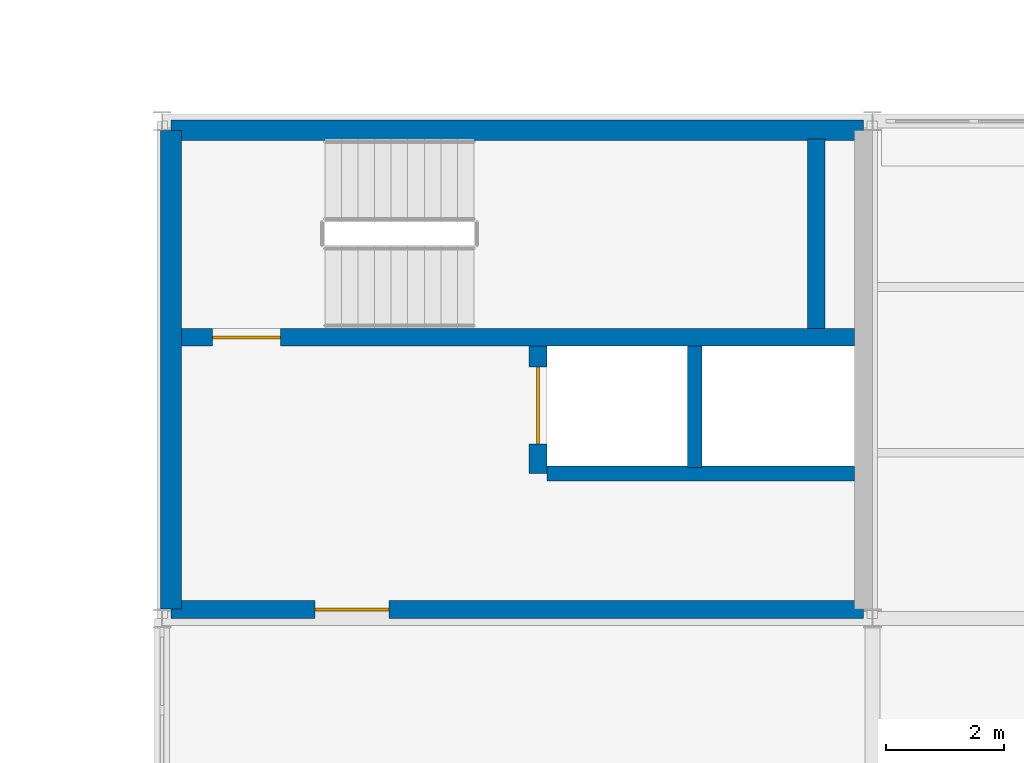
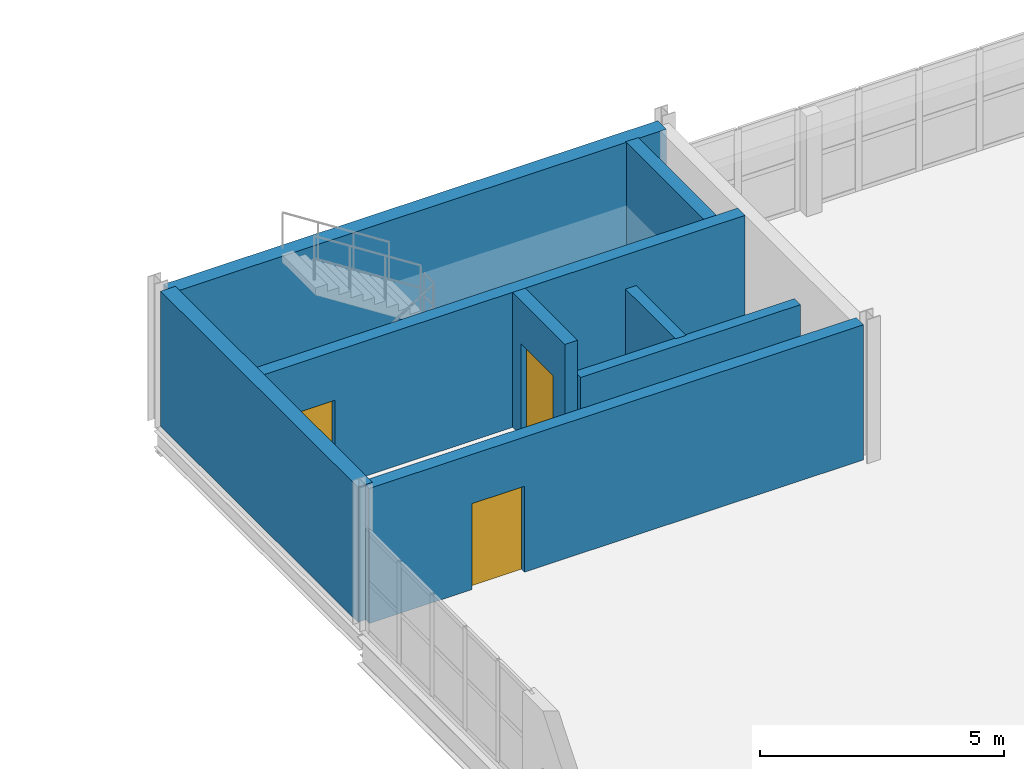
# One storey, part 86 of 101: 8 walls, 3 doors, 3 openings.
"""IFC4 building model written with IfcOpenShell, lengths in metres."""

from ifc_helpers import new_model, si_unit, direction, frame, frame_2d, origin, place, context, subcontext, project, spatial, rectangle, extrude, material, layer, layer_set, type_object, element, fill, save


model = new_model("IFC4")

# Units and contexts
model_context = context("Model", 3, precision=1e-05, world=origin(), true_north=direction((0.0, 1.0)))
body_context = subcontext(model_context, "Body", "Model", "MODEL_VIEW")
ifc_project = project(units=[si_unit("LENGTHUNIT", "METRE"), si_unit("AREAUNIT", "SQUARE_METRE"), si_unit("VOLUMEUNIT", "CUBIC_METRE"), si_unit("PLANEANGLEUNIT", "RADIAN"), si_unit("MASSUNIT", "GRAM", prefix="KILO"), si_unit("THERMODYNAMICTEMPERATUREUNIT", "KELVIN"), si_unit("POWERUNIT", "WATT")], contexts=[model_context])

# Site, building, storey
site_placement = place(None, origin())
site = spatial("IfcSite", under=ifc_project, at=site_placement, CompositionType="ELEMENT")
building_placement = place(site_placement, origin())
building = spatial("IfcBuilding", under=site, at=building_placement, Name="Tembeka Court Mobility Hub", CompositionType="ELEMENT")
storey_placement = place(building_placement, frame((0.0, 0.0, 5.39990234375)))
storey = spatial("IfcBuildingStorey", under=building, at=storey_placement, Name="L01", CompositionType="ELEMENT", Elevation=5.39990234375)

# Walls
ifc_material_1 = material(Name="Concrete C40/50", Category="concrete")
ifc_layer_1 = layer(ifc_material_1, 0.25)
ifc_layer_set_1 = layer_set([ifc_layer_1], Name="Concrete C40/50")
wall_type_1 = type_object("IfcWallType", Name="WL-IW01", PredefinedType="PARTITIONING", material=ifc_layer_set_1)
wall_1_placement = place(storey_placement, frame((122.89990234375, 40.85009765625, 0.0), z_axis=(0.0, 0.0, 1.0), x_axis=(1.0, 0.0, 0.0)))
element("IfcWall", 1, at=wall_1_placement, inside=storey, type_object=wall_type_1, Name="Wall IW01 (IW-L01-0274)", PredefinedType="PARTITIONING", context=body_context, shape_type="SweptSolid", body=[
    extrude(rectangle(XDim=5.2001953125, YDim=0.25, at=frame_2d((2.60009765625, 0.0))), origin(), (0.0, 0.0, 1.0), 2.525146484375),
])
wall_2_placement = place(storey_placement, frame((125.39990234375, 40.949951171875, 0.0), z_axis=(0.0, 0.0, 1.0), x_axis=(0.0, 1.0, 0.0)))
element("IfcWall", 2, at=wall_2_placement, inside=storey, type_object=wall_type_1, Name="Wall IW01 (IW-L01-0275)", PredefinedType="PARTITIONING", context=body_context, shape_type="SweptSolid", body=[
    extrude(rectangle(XDim=2.050048828125, YDim=0.25, at=frame_2d((1.02490234375, 0.0))), origin(), (0.0, 0.0, 1.0), 2.525146484375),
])

# Wall, opening, door
ifc_layer_2 = layer(ifc_material_1, 0.300048828125)
ifc_layer_set_2 = layer_set([ifc_layer_2], Name="Concrete C40/50")
wall_type_2 = type_object("IfcWallType", Name="WL-SW01", PredefinedType="SHEAR", material=ifc_layer_set_2)
wall_3_placement = place(storey_placement, frame((116.552490234375, 38.550048828125, 0.0), z_axis=(0.0, 0.0, 1.0), x_axis=(1.0, 0.0, 0.0)))
wall_3 = element("IfcWall", 3, at=wall_3_placement, inside=storey, type_object=wall_type_2, Name="Wall SW01 (IW-L01-0268)", PredefinedType="SHEAR", context=body_context, shape_type="SweptSolid", body=[
    extrude(rectangle(XDim=11.695068359375, YDim=0.300048828125, at=frame_2d((5.84765625, 0.0))), origin(), (0.0, 0.0, 1.0), 3.380126953125),
])
opening_1_placement = place(wall_3_placement, frame((2.427490234375, 0.0, 0.0)))
opening_1 = element("IfcOpeningElement", 4, at=opening_1_placement, cuts=wall_3, Name="Opening FD01", PredefinedType="OPENING", context=body_context, shape_type="SweptSolid", body=[
    extrude(rectangle(XDim=1.25, YDim=2.14990234375, at=frame_2d((0.625, 1.074951171875))), frame((0.0, 0.16015625, 0.0), z_axis=(0.0, -1.0, 0.0), x_axis=(1.0, 0.0, 0.0)), (0.0, 0.0, 1.0), 0.320068359375),
])
ifc_material_2 = material(Name="Galvanised steel fire/shutter doorset", Category="steel")
door_type_1 = type_object("IfcDoorType", Name="DR-FD01", OperationType="NOTDEFINED", PredefinedType="DOOR", material=ifc_material_2)
door_1_placement = place(opening_1_placement, origin())
door_1 = element("IfcDoor", 5, at=door_1_placement, inside=storey, type_object=door_type_1, Name="Door FD01-0121", OperationType="SINGLE_SWING_LEFT", OverallHeight=2.14990234375, OverallWidth=1.25, PredefinedType="DOOR", context=body_context, shape_type="SweptSolid", body=[
    extrude(rectangle(XDim=1.25, YDim=2.14990234375, at=frame_2d((0.625, 1.074951171875))), frame((0.0, 0.02490234375, 0.0), z_axis=(0.0, -1.0, 0.0), x_axis=(1.0, 0.0, 0.0)), (0.0, 0.0, 1.0), 0.050048828125),
])
fill(opening_1, door_1)

# Wall
wall_4_placement = place(storey_placement, frame((127.449951171875, 43.300048828125, 0.0), z_axis=(0.0, 0.0, 1.0), x_axis=(0.0, 1.0, 0.0)))
element("IfcWall", 6, at=wall_4_placement, inside=storey, type_object=wall_type_2, Name="Wall SW01 (IW-L01-0271)", PredefinedType="SHEAR", context=body_context, shape_type="SweptSolid", body=[
    extrude(rectangle(XDim=3.199951171875, YDim=0.300048828125, at=frame_2d((1.60009765625, 0.0))), origin(), (0.0, 0.0, 1.0), 3.380126953125),
])

# Wall, opening, door
wall_5_placement = place(storey_placement, frame((116.699951171875, 43.14990234375, 0.0), z_axis=(0.0, 0.0, 1.0), x_axis=(1.0, 0.0, 0.0)))
wall_5 = element("IfcWall", 7, at=wall_5_placement, inside=storey, type_object=wall_type_2, Name="Wall SW01 (IW-L01-0272)", PredefinedType="SHEAR", context=body_context, shape_type="SweptSolid", body=[
    extrude(rectangle(XDim=11.400146484375, YDim=0.300048828125, at=frame_2d((5.7001953125, 0.0))), origin(), (0.0, 0.0, 1.0), 3.380126953125),
])
opening_2_placement = place(wall_5_placement, frame((0.550048828125, 0.0, 0.0)))
opening_2 = element("IfcOpeningElement", 8, at=opening_2_placement, cuts=wall_5, Name="Opening FD03", PredefinedType="OPENING", context=body_context, shape_type="SweptSolid", body=[
    extrude(rectangle(XDim=1.14990234375, YDim=2.14990234375, at=frame_2d((0.574951171875, 1.074951171875))), frame((0.0, 0.16015625, 0.0), z_axis=(0.0, -1.0, 0.0), x_axis=(1.0, 0.0, 0.0)), (0.0, 0.0, 1.0), 0.320068359375),
])
door_type_2 = type_object("IfcDoorType", Name="DR-FD03", OperationType="NOTDEFINED", PredefinedType="DOOR", material=ifc_material_2)
door_2_placement = place(opening_2_placement, origin())
door_2 = element("IfcDoor", 9, at=door_2_placement, inside=storey, type_object=door_type_2, Name="Door FD03-0122", OperationType="SINGLE_SWING_LEFT", OverallHeight=2.14990234375, OverallWidth=1.14990234375, PredefinedType="DOOR", context=body_context, shape_type="SweptSolid", body=[
    extrude(rectangle(XDim=1.14990234375, YDim=2.14990234375, at=frame_2d((0.574951171875, 1.074951171875))), frame((0.0, 0.02490234375, 0.0), z_axis=(0.0, -1.0, 0.0), x_axis=(1.0, 0.0, 0.0)), (0.0, 0.0, 1.0), 0.050048828125),
])
fill(opening_2, door_2)

wall_6_placement = place(storey_placement, frame((122.75, 40.85009765625, 0.0), z_axis=(0.0, 0.0, 1.0), x_axis=(0.0, 1.0, 0.0)))
wall_6 = element("IfcWall", 10, at=wall_6_placement, inside=storey, type_object=wall_type_2, Name="Wall SW01 (IW-L01-0273)", PredefinedType="SHEAR", context=body_context, shape_type="SweptSolid", body=[
    extrude(rectangle(XDim=2.14990234375, YDim=0.300048828125, at=frame_2d((1.074951171875, 0.0))), origin(), (0.0, 0.0, 1.0), 3.380126953125),
])
opening_3_placement = place(wall_6_placement, frame((0.5, 0.0, 0.0)))
opening_3 = element("IfcOpeningElement", 11, at=opening_3_placement, cuts=wall_6, Name="Opening LD02", PredefinedType="OPENING", context=body_context, shape_type="SweptSolid", body=[
    extrude(rectangle(XDim=1.300048828125, YDim=2.300048828125, at=frame_2d((0.64990234375, 1.14990234375))), frame((0.0, 0.16015625, 0.0), z_axis=(0.0, -1.0, 0.0), x_axis=(1.0, 0.0, 0.0)), (0.0, 0.0, 1.0), 0.320068359375),
])
door_type_3 = type_object("IfcDoorType", Name="DR-LD02", OperationType="SLIDING_TO_LEFT", PredefinedType="DOOR", material=ifc_material_2)
door_3_placement = place(opening_3_placement, origin())
door_3 = element("IfcDoor", 12, at=door_3_placement, inside=storey, type_object=door_type_3, Name="Lift LF07 landing door L01", OperationType="SLIDING_TO_LEFT", OverallHeight=2.300048828125, OverallWidth=1.300048828125, PredefinedType="DOOR", context=body_context, shape_type="SweptSolid", body=[
    extrude(rectangle(XDim=1.300048828125, YDim=2.300048828125, at=frame_2d((0.64990234375, 1.14990234375))), frame((0.0, 0.02490234375, 0.0), z_axis=(0.0, -1.0, 0.0), x_axis=(1.0, 0.0, 0.0)), (0.0, 0.0, 1.0), 0.050048828125),
])
fill(opening_3, door_3)

# Walls
ifc_layer_3 = layer(ifc_material_1, 0.35009765625)
ifc_layer_set_3 = layer_set([ifc_layer_3], Name="Concrete C40/50")
wall_type_3 = type_object("IfcWallType", Name="WL-SW02", PredefinedType="SHEAR", material=ifc_layer_set_3)
wall_7_placement = place(storey_placement, frame((116.552490234375, 46.64990234375, 0.0), z_axis=(0.0, 0.0, 1.0), x_axis=(1.0, 0.0, 0.0)))
element("IfcWall", 13, at=wall_7_placement, inside=storey, type_object=wall_type_3, Name="Wall SW02 (IW-L01-0267)", PredefinedType="SHEAR", context=body_context, shape_type="SweptSolid", body=[
    extrude(rectangle(XDim=11.695068359375, YDim=0.35009765625, at=frame_2d((5.84765625, 0.0))), origin(), (0.0, 0.0, 1.0), 3.380126953125),
])
wall_8_placement = place(storey_placement, frame((116.550048828125, 38.55859375, 0.0), z_axis=(0.0, 0.0, 1.0), x_axis=(0.0, 1.0, 0.0)))
element("IfcWall", 14, at=wall_8_placement, inside=storey, type_object=wall_type_3, Name="Wall SW02 (IW-L01-0269)", PredefinedType="SHEAR", context=body_context, shape_type="SweptSolid", body=[
    extrude(rectangle(XDim=8.0830078125, YDim=0.35009765625, at=frame_2d((4.04150390625, 0.0))), origin(), (0.0, 0.0, 1.0), 3.380126953125),
])

save(model, "model.ifc")
